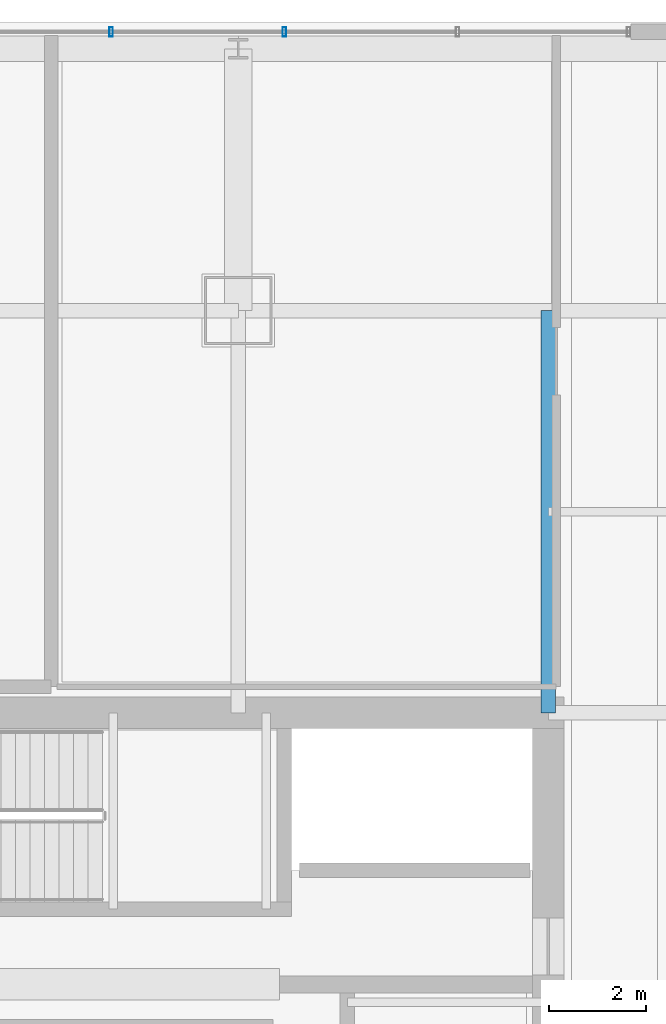
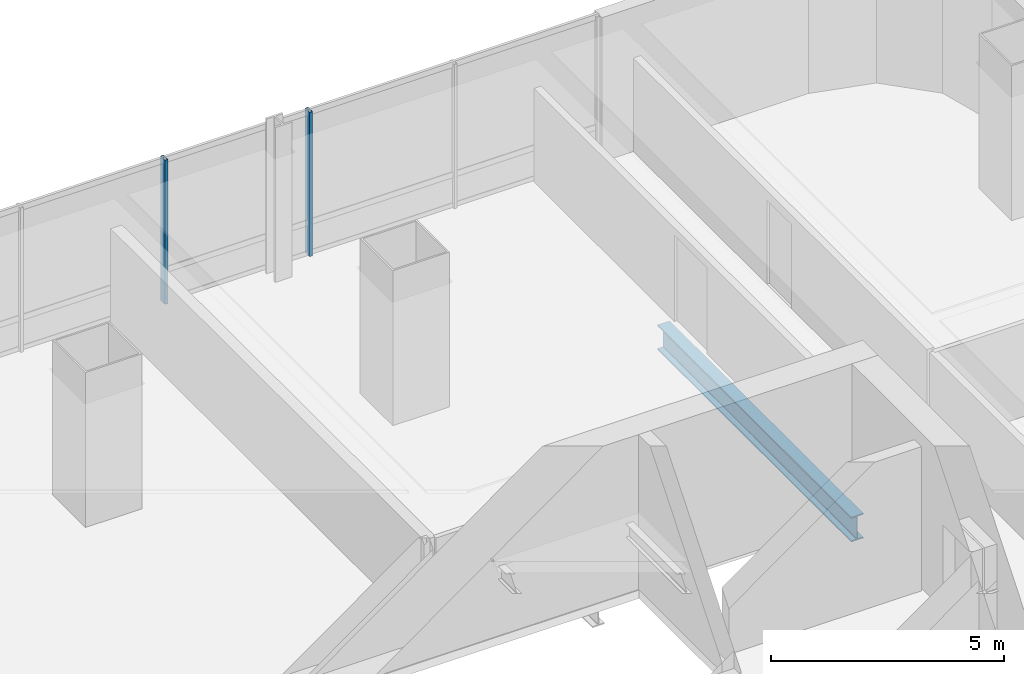
# One storey, part 25 of 47: 2 members, 1 beam, 1 element without a shape of its own.
"""IFC4 building model written with IfcOpenShell, lengths in metres."""

from ifc_helpers import new_model, si_unit, direction, frame, origin, origin_2d, place, context, subcontext, project, spatial, hollow_rectangle, i_section, extrude, material, material_profile, profile_set, type_object, element, aggregate, save


model = new_model("IFC4")

# Units and contexts
model_context = context("Model", 3, precision=1e-05, world=origin(), true_north=direction((0.0, 1.0)))
body_context = subcontext(model_context, "Body", "Model", "MODEL_VIEW")
ifc_project = project(units=[si_unit("LENGTHUNIT", "METRE"), si_unit("AREAUNIT", "SQUARE_METRE"), si_unit("VOLUMEUNIT", "CUBIC_METRE"), si_unit("PLANEANGLEUNIT", "RADIAN"), si_unit("MASSUNIT", "GRAM", prefix="KILO")], contexts=[model_context])

# Site, building, storey
site_placement = place(None, origin())
site = spatial("IfcSite", under=ifc_project, at=site_placement, CompositionType="ELEMENT")
building_placement = place(site_placement, origin())
building = spatial("IfcBuilding", under=site, at=building_placement, Name="Punatoya Terracotta Tower", CompositionType="ELEMENT")
storey_placement = place(building_placement, frame((0.0, 0.0, 168.14990234375)))
storey = spatial("IfcBuildingStorey", under=building, at=storey_placement, Name="L39", CompositionType="ELEMENT", Elevation=168.14990234375)

# Beam
ifc_material_1 = material(Name="Steel S355", Category="steel")
ifc_material_profile_1 = material_profile(ifc_material_1, i_section(OverallWidth=0.300048828125, OverallDepth=0.64990234375, WebThickness=0.01611328125, FlangeThickness=0.031005859375, FilletRadius=0.01806640625, at=origin_2d()))
ifc_profile_set_1 = profile_set([ifc_material_profile_1], Name="Steel S355")
beam_type = type_object("IfcBeamType", Name="BM-PRI-650", PredefinedType="BEAM", material=ifc_profile_set_1)
beam_placement = place(storey_placement, frame((10.199951171875, 9.199951171875, -0.544921875), z_axis=(0.0, 1.0, 0.0), x_axis=(-1.0, 0.0, 0.0)))
element("IfcBeam", 1, at=beam_placement, inside=storey, type_object=beam_type, Name="BM-L39-PR-N4", PredefinedType="BEAM", context=body_context, shape_type="SweptSolid", body=[
    extrude(i_section(OverallWidth=0.300048828125, OverallDepth=0.64990234375, WebThickness=0.01611328125, FlangeThickness=0.031005859375, FilletRadius=0.01806640625, at=origin_2d()), origin(), (0.0, 0.0, 1.0), 8.300048828125),
])

# Curtain wall, members
ifc_material_2 = material(Name="Aluminium 6063-T6 + Double Low-E Glass", Category="aluminium")
curtain_wall_type = type_object("IfcCurtainWallType", Name="CW-M2", PredefinedType="NOTDEFINED", material=ifc_material_2)
curtain_wall_placement = place(storey_placement, origin())
curtain_wall = element("IfcCurtainWall", 2, at=curtain_wall_placement, inside=storey, type_object=curtain_wall_type, Name="L39 Curtain Wall CW-L39-N09-1", PredefinedType="NOTDEFINED")
ifc_material_3 = material(Name="Aluminium 6063-T6", Category="aluminium")
ifc_material_profile_2 = material_profile(ifc_material_3, hollow_rectangle(XDim=0.072021484375, YDim=0.195068359375, WallThickness=0.00439453125, at=origin_2d()))
ifc_profile_set_2 = profile_set([ifc_material_profile_2], Name="Aluminium 6063-T6")
member_type = type_object("IfcMemberType", Name="CW-MUL-M2", PredefinedType="MULLION", material=ifc_profile_set_2)
member_1_placement = place(storey_placement, frame((4.75, 23.25, 0.0), z_axis=(0.0, 0.0, 1.0), x_axis=(1.0, 0.0, 0.0)))
member_1 = element("IfcMember", 3, at=member_1_placement, type_object=member_type, Name="CW-L39-N09-1 Mullion 02", PredefinedType="MULLION", context=body_context, shape_type="SweptSolid", body=[
    extrude(hollow_rectangle(XDim=0.072021484375, YDim=0.195068359375, WallThickness=0.00439453125, at=origin_2d()), origin(), (0.0, 0.0, 1.0), 3.77001953125),
])
member_2_placement = place(storey_placement, frame((1.175048828125, 23.25, 0.0), z_axis=(0.0, 0.0, 1.0), x_axis=(1.0, 0.0, 0.0)))
member_2 = element("IfcMember", 4, at=member_2_placement, type_object=member_type, Name="CW-L39-N09-1 Mullion 03", PredefinedType="MULLION", context=body_context, shape_type="SweptSolid", body=[
    extrude(hollow_rectangle(XDim=0.072021484375, YDim=0.195068359375, WallThickness=0.00439453125, at=origin_2d()), origin(), (0.0, 0.0, 1.0), 3.77001953125),
])
aggregate(curtain_wall, [member_1, member_2])

save(model, "model.ifc")
